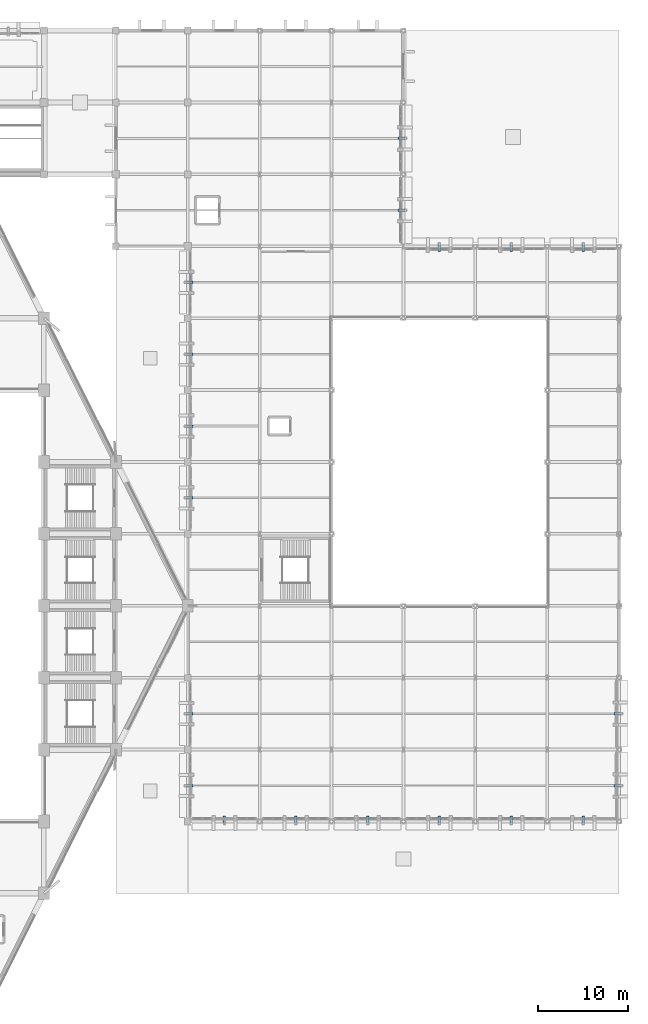
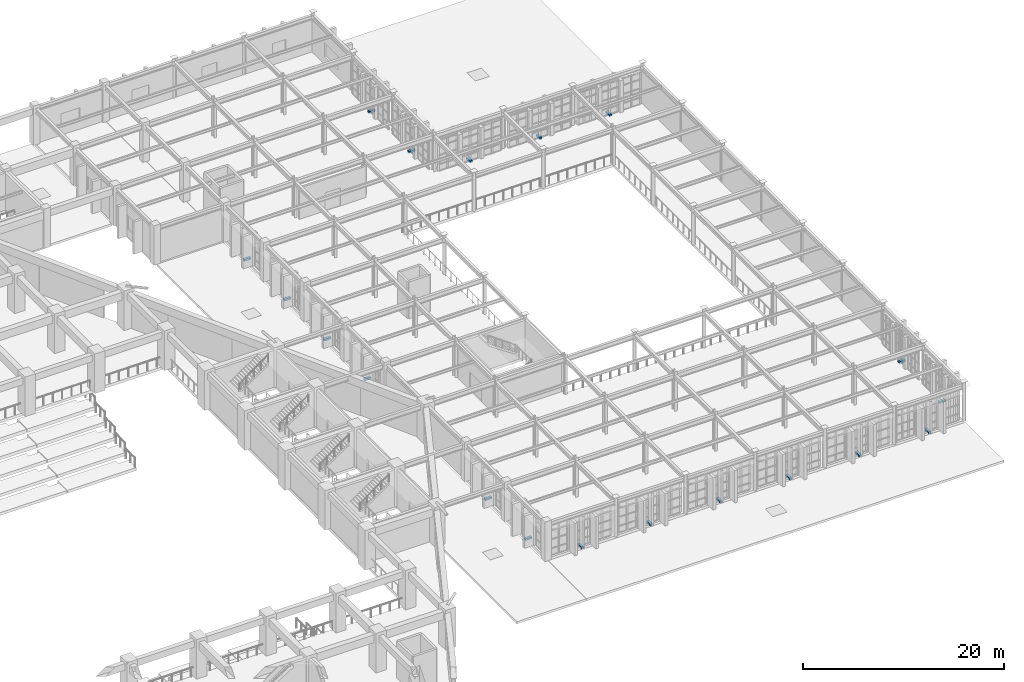
# One storey, part 146 of 155: 19 discrete accessories.
"""IFC4 building model written with IfcOpenShell, lengths in metres."""

import ifcopenshell
import ifcopenshell.guid

model = None  # the IFC model being written
_history = None  # IfcOwnerHistory: only IFC2X3 demands one
_inside = {}  # id of a spatial element -> (the spatial element, [elements in it])
_under = {}  # id of a project, library or spatial element -> (it, [spatial elements below it])
_declared = {}  # id of a project -> (the project, [libraries it declares])
_typed = {}  # id of a type object -> (the type object, [elements of that type])
_made_of = {}  # id of a material, layer set ... -> (it, [elements and type objects made of it])


def new_model(schema):
    """Start an empty IFC model of exactly this schema.

    Asked for "IFC4X3", IfcOpenShell would pick the latest addendum, in which some entities
    have other attributes; the version numbers below select the first issue.
    IFC2X3 requires an IfcOwnerHistory on every rooted entity: one is made here for all.
    """
    global model, _history
    if schema == "IFC4X3":
        model = ifcopenshell.file(schema_version=(4, 3, 0, 0))
    else:
        model = ifcopenshell.file(schema=schema)
    _inside.clear()
    _under.clear()
    _declared.clear()
    _typed.clear()
    _made_of.clear()
    _history = None
    if model.schema == "IFC2X3":
        org = make("IfcOrganization", Name="unknown")
        user = make(
            "IfcPersonAndOrganization",
            ThePerson=make("IfcPerson", FamilyName="unknown"),
            TheOrganization=org,
        )
        app = make(
            "IfcApplication",
            ApplicationDeveloper=org,
            Version="unknown",
            ApplicationFullName="unknown",
            ApplicationIdentifier="unknown",
        )
        _history = make(
            "IfcOwnerHistory",
            OwningUser=user,
            OwningApplication=app,
            ChangeAction="ADDED",
            CreationDate=0,
        )
    return model


def make(cls, **values):
    """One entity of the class cls with the attributes given. An attribute that is None is left unset."""
    return model.create_entity(
        cls, **{name: value for name, value in values.items() if value is not None}
    )


def rooted(cls, **values):
    """An entity with a GlobalId (a new one), such as an element, a storey or a relation."""
    return make(cls, GlobalId=ifcopenshell.guid.new(), OwnerHistory=_history, **values)


def si_unit(unit_type, name, prefix=None):
    """IfcSIUnit, for example si_unit("LENGTHUNIT", "METRE", prefix="MILLI")."""
    return make("IfcSIUnit", UnitType=unit_type, Prefix=prefix, Name=name)


def assignment(units):
    """IfcUnitAssignment: the units of a project."""
    return None if units is None else make("IfcUnitAssignment", Units=units)


def point(xyz):
    """IfcCartesianPoint."""
    return None if xyz is None else make("IfcCartesianPoint", Coordinates=xyz)


def direction(xyz):
    """IfcDirection."""
    return None if xyz is None else make("IfcDirection", DirectionRatios=xyz)


def frame(location, z_axis=None, x_axis=None):
    """IfcAxis2Placement3D, a coordinate frame: its origin and axes. An axis left out is left unset."""
    return make(
        "IfcAxis2Placement3D",
        Location=point(location),
        Axis=direction(z_axis),
        RefDirection=direction(x_axis),
    )


def frame_2d(location, x_axis=None):
    """IfcAxis2Placement2D, a coordinate frame in the plane: its origin and x axis."""
    return make(
        "IfcAxis2Placement2D", Location=point(location), RefDirection=direction(x_axis)
    )


def origin():
    """The frame at (0, 0, 0) with its axes left unset."""
    return frame((0.0, 0.0, 0.0))


def origin_2d():
    """The frame at (0, 0) in the plane with its x axis left unset."""
    return frame_2d((0.0, 0.0))


def place(relative_to, where):
    """IfcLocalPlacement: puts the frame where relative to a parent placement (None: the world)."""
    return make(
        "IfcLocalPlacement", PlacementRelTo=relative_to, RelativePlacement=where
    )


def context(
    kind, dimensions, precision=None, world=None, true_north=None, identifier=None
):
    """IfcGeometricRepresentationContext, for example the 3D "Model" context."""
    return make(
        "IfcGeometricRepresentationContext",
        ContextIdentifier=identifier,
        ContextType=kind,
        CoordinateSpaceDimension=dimensions,
        Precision=precision,
        WorldCoordinateSystem=world,
        TrueNorth=true_north,
    )


def subcontext(parent, identifier, kind, view, scale=None):
    """IfcGeometricRepresentationSubContext, for example "Body" below "Model"."""
    return make(
        "IfcGeometricRepresentationSubContext",
        ContextIdentifier=identifier,
        ContextType=kind,
        ParentContext=parent,
        TargetScale=scale,
        TargetView=view,
    )


def project(units=None, contexts=None):
    """IfcProject with its units and contexts."""
    return rooted(
        "IfcProject",
        Name="project",
        RepresentationContexts=contexts,
        UnitsInContext=assignment(units),
    )


def spatial(cls, under=None, at=None, **own):
    """A site, building, storey or space (cls), placed at a placement, below another one or the project."""
    s = rooted(cls, ObjectPlacement=at, **own)
    if under is not None:
        _under.setdefault(under.id(), (under, []))[1].append(s)
    return s


def profile(cls, at=None, kind="AREA", **sizes):
    """A parametric profile (cls). Its sizes go by their IFC names, for example OverallWidth=200.0."""
    return make(cls, ProfileType=kind, Position=at, **sizes)


def rectangle(**sizes):
    """IfcRectangleProfileDef."""
    return profile("IfcRectangleProfileDef", **sizes)


def extrude(swept, where, along, depth):
    """IfcExtrudedAreaSolid: the profile swept, set in the frame where, extruded along a direction by depth."""
    return make(
        "IfcExtrudedAreaSolid",
        SweptArea=swept,
        Position=where,
        ExtrudedDirection=direction(along),
        Depth=depth,
    )


def shape(context_of_items, identifier, shape_type, items):
    """IfcShapeRepresentation: the items that make up one representation, for example the "Body"."""
    return make(
        "IfcShapeRepresentation",
        ContextOfItems=context_of_items,
        RepresentationIdentifier=identifier,
        RepresentationType=shape_type,
        Items=items,
    )


def material(Name=None, Category=None):
    """IfcMaterial."""
    return make("IfcMaterial", Name=Name, Category=Category)


def made_of(thing, what):
    """Note that an element or type object is made of a material, layer set ...; save() writes the relation."""
    if what is not None:
        _made_of.setdefault(what.id(), (what, []))[1].append(thing)
    return thing


def type_object(cls, material=None, **own):
    """A type object (cls), such as IfcWallType, which elements share."""
    return made_of(rooted(cls, **own), material)


def element(
    cls,
    number,
    at=None,
    inside=None,
    cuts=None,
    type_object=None,
    material=None,
    context=None,
    identifier="Body",
    shape_type=None,
    held_by="IfcProductDefinitionShape",
    body=None,
    shapes=None,
    **own,
):
    """One element of the class cls, such as IfcWall. Its Tag is "e" and its number.

    at: its placement. inside: the storey or other place that contains it. cuts: it is an
    opening in that element (IfcRelVoidsElement). A single representation is given by context,
    identifier, shape_type and body (its items); several are given by shapes. held_by: the class
    of the entity that holds the representations. save() writes the other relations.
    """
    e = rooted(cls, Tag="e%d" % number, ObjectPlacement=at, **own)
    if body is not None:
        shapes = [shape(context, identifier, shape_type, body)]
    if shapes is not None:
        e.Representation = make(held_by, Representations=shapes)
    if inside is not None:
        _inside.setdefault(inside.id(), (inside, []))[1].append(e)
    if cuts is not None:
        rooted(
            "IfcRelVoidsElement", RelatingBuildingElement=cuts, RelatedOpeningElement=e
        )
    if type_object is not None:
        _typed.setdefault(type_object.id(), (type_object, []))[1].append(e)
    return made_of(e, material)


def aggregate(whole, parts):
    """IfcRelAggregates: a whole, such as a stair, and the parts it consists of."""
    return rooted("IfcRelAggregates", RelatingObject=whole, RelatedObjects=parts)


def save(model, path):
    """Write the relations noted so far, then the file.

    IfcRelAggregates (storeys below a building ...), IfcRelContainedInSpatialStructure (elements
    in a storey), IfcRelDefinesByType, IfcRelAssociatesMaterial and IfcRelDeclares: one each for
    every whole, place, type object, material and project.
    """
    for whole, parts in _under.values():
        aggregate(whole, parts)
    for where, things in _inside.values():
        rooted(
            "IfcRelContainedInSpatialStructure",
            RelatedElements=things,
            RelatingStructure=where,
        )
    for kind, things in _typed.values():
        rooted("IfcRelDefinesByType", RelatedObjects=things, RelatingType=kind)
    for what, things in _made_of.values():
        rooted("IfcRelAssociatesMaterial", RelatedObjects=things, RelatingMaterial=what)
    for by, libraries in _declared.values():
        rooted("IfcRelDeclares", RelatingContext=by, RelatedDefinitions=libraries)
    model.write(path)


model = new_model("IFC4")

# Units and contexts
model_context = context("Model", 3, precision=1e-05, world=origin(), true_north=direction((0.0, 1.0)))
body_context = subcontext(model_context, "Body", "Model", "MODEL_VIEW")
ifc_project = project(units=[si_unit("LENGTHUNIT", "METRE"), si_unit("AREAUNIT", "SQUARE_METRE"), si_unit("VOLUMEUNIT", "CUBIC_METRE"), si_unit("PLANEANGLEUNIT", "RADIAN"), si_unit("MASSUNIT", "GRAM", prefix="KILO")], contexts=[model_context])

# Site, building, storey
site_placement = place(None, origin())
site = spatial("IfcSite", under=ifc_project, at=site_placement, CompositionType="ELEMENT")
building_placement = place(site_placement, origin())
building = spatial("IfcBuilding", under=site, at=building_placement, Name="Tazarka Park Arena", CompositionType="ELEMENT")
storey_placement = place(building_placement, frame((0.0, 0.0, 5.39990234375)))
storey = spatial("IfcBuildingStorey", under=building, at=storey_placement, Name="L01", CompositionType="ELEMENT", Elevation=5.39990234375)

# Discrete accessories
ifc_material = material(Name="Steel S355", Category="steel")
discrete_accessory_type = type_object("IfcDiscreteAccessoryType", Name="BRK-01", PredefinedType="BRACKET", material=ifc_material)
for number, where, z_axis, x_axis, name in (
    (1, (136.219970703125, 99.97509765625, -0.10009765625), (0.0, 0.0, 1.0), (0.0, 1.0, 0.0), "BRK-BS-050"),
    (2, (136.219970703125, 92.0, -0.10009765625), (0.0, 0.0, 1.0), (0.0, 1.0, 0.0), "BRK-BS-051"),
    (3, (136.219970703125, 84.0, -0.10009765625), (0.0, 0.0, 1.0), (0.0, 1.0, 0.0), "BRK-BS-052"),
    (4, (136.219970703125, 76.0, -0.10009765625), (0.0, 0.0, 1.0), (0.0, 1.0, 0.0), "BRK-BS-053"),
    (5, (136.219970703125, 52.0, -0.10009765625), (0.0, 0.0, 1.0), (0.0, 1.0, 0.0), "BRK-BS-054"),
    (6, (136.219970703125, 44.0, -0.10009765625), (0.0, 0.0, 1.0), (0.0, 1.0, 0.0), "BRK-BS-055"),
    (7, (140.0859375, 40.219970703125, -0.10009765625), (0.0, 0.0, 1.0), (-1.0, 0.0, 0.0), "BRK-BS-056"),
    (8, (148.0, 40.219970703125, -0.10009765625), (0.0, 0.0, 1.0), (-1.0, 0.0, 0.0), "BRK-BS-057"),
    (9, (156.0, 40.219970703125, -0.10009765625), (0.0, 0.0, 1.0), (-1.0, 0.0, 0.0), "BRK-BS-058"),
    (10, (164.0, 40.219970703125, -0.10009765625), (0.0, 0.0, 1.0), (-1.0, 0.0, 0.0), "BRK-BS-059"),
    (11, (172.0, 40.219970703125, -0.10009765625), (0.0, 0.0, 1.0), (-1.0, 0.0, 0.0), "BRK-BS-060"),
    (12, (180.0, 40.219970703125, -0.10009765625), (0.0, 0.0, 1.0), (-1.0, 0.0, 0.0), "BRK-BS-061"),
    (13, (183.780029296875, 44.0, -0.10009765625), (0.0, 0.0, 1.0), (0.0, -1.0, 0.0), "BRK-BS-062"),
    (14, (183.780029296875, 52.0, -0.10009765625), (0.0, 0.0, 1.0), (0.0, -1.0, 0.0), "BRK-BS-063"),
    (15, (180.0, 103.780029296875, -0.10009765625), (0.0, 0.0, 1.0), (1.0, 0.0, 0.0), "BRK-BS-064"),
    (16, (172.0, 103.780029296875, -0.10009765625), (0.0, 0.0, 1.0), (1.0, 0.0, 0.0), "BRK-BS-065"),
    (17, (163.973388671875, 103.780029296875, -0.10009765625), (0.0, 0.0, 1.0), (1.0, 0.0, 0.0), "BRK-BS-066"),
    (18, (159.780029296875, 108.0234375, -0.10009765625), (0.0, 0.0, 1.0), (0.0, -1.0, 0.0), "BRK-BS-067"),
    (19, (159.780029296875, 116.0, -0.10009765625), (0.0, 0.0, 1.0), (0.0, -1.0, 0.0), "BRK-BS-068"),
):
    element("IfcDiscreteAccessory", number, at=place(storey_placement, frame(where, z_axis=z_axis, x_axis=x_axis)), inside=storey, type_object=discrete_accessory_type, Name=name, PredefinedType="BRACKET", context=body_context, shape_type="SweptSolid", body=[
        extrude(rectangle(XDim=0.280029296875, YDim=0.760009765625, at=origin_2d()), origin(), (0.0, 0.0, 1.0), 0.239990234375),
    ])

save(model, "model.ifc")
